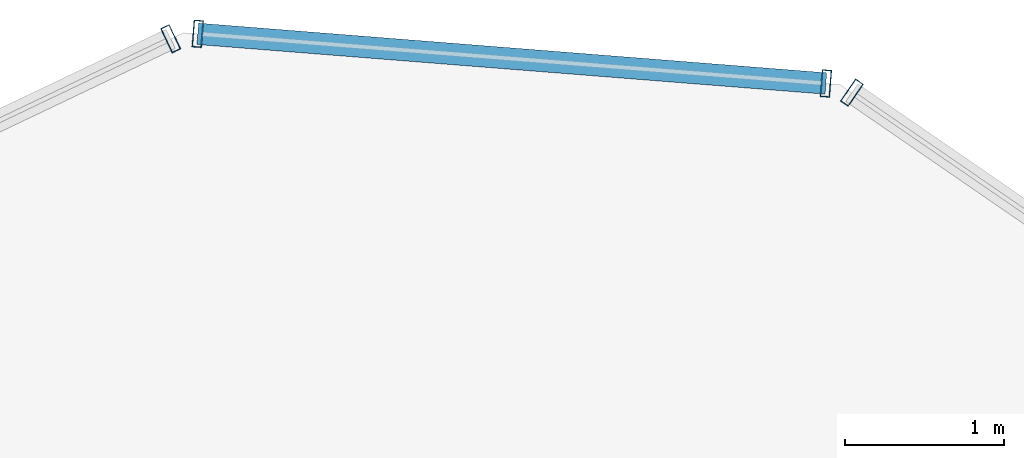
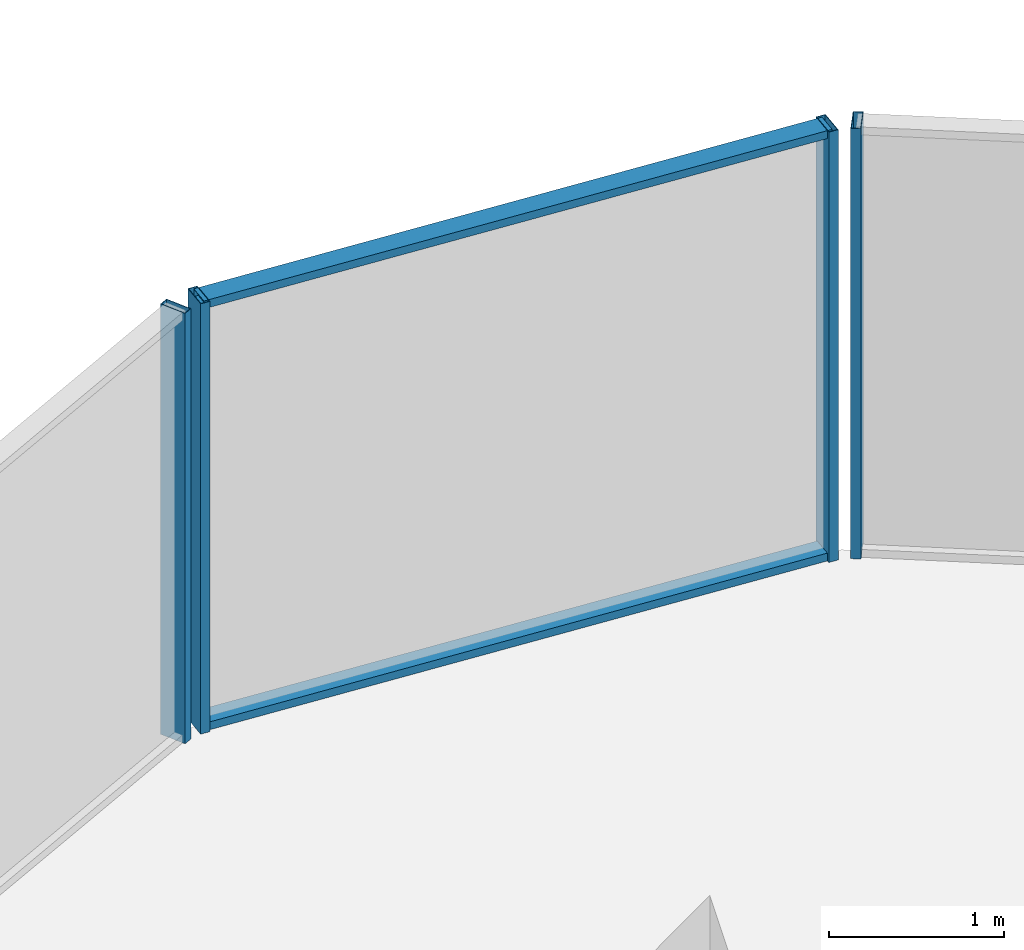
# One storey, part 23 of 30: 6 members, 3 elements without a shape of their own.
"""IFC4 building model written with IfcOpenShell, lengths in metres."""

import ifcopenshell
import ifcopenshell.guid

model = None  # the IFC model being written
_history = None  # IfcOwnerHistory: only IFC2X3 demands one
_inside = {}  # id of a spatial element -> (the spatial element, [elements in it])
_under = {}  # id of a project, library or spatial element -> (it, [spatial elements below it])
_declared = {}  # id of a project -> (the project, [libraries it declares])
_typed = {}  # id of a type object -> (the type object, [elements of that type])
_made_of = {}  # id of a material, layer set ... -> (it, [elements and type objects made of it])


def new_model(schema):
    """Start an empty IFC model of exactly this schema.

    Asked for "IFC4X3", IfcOpenShell would pick the latest addendum, in which some entities
    have other attributes; the version numbers below select the first issue.
    IFC2X3 requires an IfcOwnerHistory on every rooted entity: one is made here for all.
    """
    global model, _history
    if schema == "IFC4X3":
        model = ifcopenshell.file(schema_version=(4, 3, 0, 0))
    else:
        model = ifcopenshell.file(schema=schema)
    _inside.clear()
    _under.clear()
    _declared.clear()
    _typed.clear()
    _made_of.clear()
    _history = None
    if model.schema == "IFC2X3":
        org = make("IfcOrganization", Name="unknown")
        user = make(
            "IfcPersonAndOrganization",
            ThePerson=make("IfcPerson", FamilyName="unknown"),
            TheOrganization=org,
        )
        app = make(
            "IfcApplication",
            ApplicationDeveloper=org,
            Version="unknown",
            ApplicationFullName="unknown",
            ApplicationIdentifier="unknown",
        )
        _history = make(
            "IfcOwnerHistory",
            OwningUser=user,
            OwningApplication=app,
            ChangeAction="ADDED",
            CreationDate=0,
        )
    return model


def make(cls, **values):
    """One entity of the class cls with the attributes given. An attribute that is None is left unset."""
    return model.create_entity(
        cls, **{name: value for name, value in values.items() if value is not None}
    )


def rooted(cls, **values):
    """An entity with a GlobalId (a new one), such as an element, a storey or a relation."""
    return make(cls, GlobalId=ifcopenshell.guid.new(), OwnerHistory=_history, **values)


def si_unit(unit_type, name, prefix=None):
    """IfcSIUnit, for example si_unit("LENGTHUNIT", "METRE", prefix="MILLI")."""
    return make("IfcSIUnit", UnitType=unit_type, Prefix=prefix, Name=name)


def assignment(units):
    """IfcUnitAssignment: the units of a project."""
    return None if units is None else make("IfcUnitAssignment", Units=units)


def point(xyz):
    """IfcCartesianPoint."""
    return None if xyz is None else make("IfcCartesianPoint", Coordinates=xyz)


def direction(xyz):
    """IfcDirection."""
    return None if xyz is None else make("IfcDirection", DirectionRatios=xyz)


def frame(location, z_axis=None, x_axis=None):
    """IfcAxis2Placement3D, a coordinate frame: its origin and axes. An axis left out is left unset."""
    return make(
        "IfcAxis2Placement3D",
        Location=point(location),
        Axis=direction(z_axis),
        RefDirection=direction(x_axis),
    )


def frame_2d(location, x_axis=None):
    """IfcAxis2Placement2D, a coordinate frame in the plane: its origin and x axis."""
    return make(
        "IfcAxis2Placement2D", Location=point(location), RefDirection=direction(x_axis)
    )


def origin():
    """The frame at (0, 0, 0) with its axes left unset."""
    return frame((0.0, 0.0, 0.0))


def origin_2d():
    """The frame at (0, 0) in the plane with its x axis left unset."""
    return frame_2d((0.0, 0.0))


def place(relative_to, where):
    """IfcLocalPlacement: puts the frame where relative to a parent placement (None: the world)."""
    return make(
        "IfcLocalPlacement", PlacementRelTo=relative_to, RelativePlacement=where
    )


def context(
    kind, dimensions, precision=None, world=None, true_north=None, identifier=None
):
    """IfcGeometricRepresentationContext, for example the 3D "Model" context."""
    return make(
        "IfcGeometricRepresentationContext",
        ContextIdentifier=identifier,
        ContextType=kind,
        CoordinateSpaceDimension=dimensions,
        Precision=precision,
        WorldCoordinateSystem=world,
        TrueNorth=true_north,
    )


def subcontext(parent, identifier, kind, view, scale=None):
    """IfcGeometricRepresentationSubContext, for example "Body" below "Model"."""
    return make(
        "IfcGeometricRepresentationSubContext",
        ContextIdentifier=identifier,
        ContextType=kind,
        ParentContext=parent,
        TargetScale=scale,
        TargetView=view,
    )


def project(units=None, contexts=None):
    """IfcProject with its units and contexts."""
    return rooted(
        "IfcProject",
        Name="project",
        RepresentationContexts=contexts,
        UnitsInContext=assignment(units),
    )


def spatial(cls, under=None, at=None, **own):
    """A site, building, storey or space (cls), placed at a placement, below another one or the project."""
    s = rooted(cls, ObjectPlacement=at, **own)
    if under is not None:
        _under.setdefault(under.id(), (under, []))[1].append(s)
    return s


def profile(cls, at=None, kind="AREA", **sizes):
    """A parametric profile (cls). Its sizes go by their IFC names, for example OverallWidth=200.0."""
    return make(cls, ProfileType=kind, Position=at, **sizes)


def hollow_rectangle(**sizes):
    """IfcRectangleHollowProfileDef."""
    return profile("IfcRectangleHollowProfileDef", **sizes)


def extrude(swept, where, along, depth):
    """IfcExtrudedAreaSolid: the profile swept, set in the frame where, extruded along a direction by depth."""
    return make(
        "IfcExtrudedAreaSolid",
        SweptArea=swept,
        Position=where,
        ExtrudedDirection=direction(along),
        Depth=depth,
    )


def shape(context_of_items, identifier, shape_type, items):
    """IfcShapeRepresentation: the items that make up one representation, for example the "Body"."""
    return make(
        "IfcShapeRepresentation",
        ContextOfItems=context_of_items,
        RepresentationIdentifier=identifier,
        RepresentationType=shape_type,
        Items=items,
    )


def source(mapping_origin, context_of_items, identifier, shape_type, items):
    """IfcRepresentationMap: a shape defined once, which mapped items show again and again."""
    return make(
        "IfcRepresentationMap",
        MappingOrigin=mapping_origin,
        MappedRepresentation=shape(context_of_items, identifier, shape_type, items),
    )


def transform(
    local_origin,
    x_axis=None,
    y_axis=None,
    z_axis=None,
    scale=None,
    scale2=None,
    scale3=None,
    uniform=True,
):
    """IfcCartesianTransformationOperator3D, or its non-uniform kind. x_axis, y_axis, z_axis: its Axis1, 2, 3."""
    if uniform:
        return make(
            "IfcCartesianTransformationOperator3D",
            Axis1=direction(x_axis),
            Axis2=direction(y_axis),
            LocalOrigin=point(local_origin),
            Scale=scale,
            Axis3=direction(z_axis),
        )
    return make(
        "IfcCartesianTransformationOperator3DnonUniform",
        Axis1=direction(x_axis),
        Axis2=direction(y_axis),
        LocalOrigin=point(local_origin),
        Scale=scale,
        Axis3=direction(z_axis),
        Scale2=scale2,
        Scale3=scale3,
    )


def mapped(mapping_source, mapping_target):
    """IfcMappedItem: shows the shape of a source again, moved by a transform."""
    return make(
        "IfcMappedItem", MappingSource=mapping_source, MappingTarget=mapping_target
    )


def material(Name=None, Category=None):
    """IfcMaterial."""
    return make("IfcMaterial", Name=Name, Category=Category)


def layer(
    of_material, thickness, ventilated=None, Name=None, Category=None, Priority=None
):
    """IfcMaterialLayer: one layer of a wall or slab, of a material (None: an air gap)."""
    return make(
        "IfcMaterialLayer",
        Material=of_material,
        LayerThickness=thickness,
        IsVentilated=ventilated,
        Name=Name,
        Category=Category,
        Priority=Priority,
    )


def layer_set(layers, Name=None):
    """IfcMaterialLayerSet."""
    return make("IfcMaterialLayerSet", MaterialLayers=layers, LayerSetName=Name)


def material_profile(
    of_material, cross_section, Name=None, Category=None, Priority=None
):
    """IfcMaterialProfile: a cross section and its material."""
    return make(
        "IfcMaterialProfile",
        Name=Name,
        Material=of_material,
        Profile=cross_section,
        Priority=Priority,
        Category=Category,
    )


def profile_set(profiles, Name=None, composite=None):
    """IfcMaterialProfileSet."""
    return make(
        "IfcMaterialProfileSet",
        Name=Name,
        MaterialProfiles=profiles,
        CompositeProfile=composite,
    )


def made_of(thing, what):
    """Note that an element or type object is made of a material, layer set ...; save() writes the relation."""
    if what is not None:
        _made_of.setdefault(what.id(), (what, []))[1].append(thing)
    return thing


def type_object(cls, material=None, **own):
    """A type object (cls), such as IfcWallType, which elements share."""
    return made_of(rooted(cls, **own), material)


def element(
    cls,
    number,
    at=None,
    inside=None,
    cuts=None,
    type_object=None,
    material=None,
    context=None,
    identifier="Body",
    shape_type=None,
    held_by="IfcProductDefinitionShape",
    body=None,
    shapes=None,
    **own,
):
    """One element of the class cls, such as IfcWall. Its Tag is "e" and its number.

    at: its placement. inside: the storey or other place that contains it. cuts: it is an
    opening in that element (IfcRelVoidsElement). A single representation is given by context,
    identifier, shape_type and body (its items); several are given by shapes. held_by: the class
    of the entity that holds the representations. save() writes the other relations.
    """
    e = rooted(cls, Tag="e%d" % number, ObjectPlacement=at, **own)
    if body is not None:
        shapes = [shape(context, identifier, shape_type, body)]
    if shapes is not None:
        e.Representation = make(held_by, Representations=shapes)
    if inside is not None:
        _inside.setdefault(inside.id(), (inside, []))[1].append(e)
    if cuts is not None:
        rooted(
            "IfcRelVoidsElement", RelatingBuildingElement=cuts, RelatedOpeningElement=e
        )
    if type_object is not None:
        _typed.setdefault(type_object.id(), (type_object, []))[1].append(e)
    return made_of(e, material)


def aggregate(whole, parts):
    """IfcRelAggregates: a whole, such as a stair, and the parts it consists of."""
    return rooted("IfcRelAggregates", RelatingObject=whole, RelatedObjects=parts)


def save(model, path):
    """Write the relations noted so far, then the file.

    IfcRelAggregates (storeys below a building ...), IfcRelContainedInSpatialStructure (elements
    in a storey), IfcRelDefinesByType, IfcRelAssociatesMaterial and IfcRelDeclares: one each for
    every whole, place, type object, material and project.
    """
    for whole, parts in _under.values():
        aggregate(whole, parts)
    for where, things in _inside.values():
        rooted(
            "IfcRelContainedInSpatialStructure",
            RelatedElements=things,
            RelatingStructure=where,
        )
    for kind, things in _typed.values():
        rooted("IfcRelDefinesByType", RelatedObjects=things, RelatingType=kind)
    for what, things in _made_of.values():
        rooted("IfcRelAssociatesMaterial", RelatedObjects=things, RelatingMaterial=what)
    for by, libraries in _declared.values():
        rooted("IfcRelDeclares", RelatingContext=by, RelatedDefinitions=libraries)
    model.write(path)


model = new_model("IFC4")

# Units and contexts
model_context = context("Model", 3, precision=1e-05, world=origin(), true_north=direction((0.0, 1.0)))
body_context = subcontext(model_context, "Body", "Model", "MODEL_VIEW")
ifc_project = project(units=[si_unit("LENGTHUNIT", "METRE"), si_unit("AREAUNIT", "SQUARE_METRE"), si_unit("VOLUMEUNIT", "CUBIC_METRE"), si_unit("PLANEANGLEUNIT", "RADIAN"), si_unit("MASSUNIT", "GRAM", prefix="KILO")], contexts=[model_context])

# Site, building, storey
site_placement = place(None, origin())
site = spatial("IfcSite", under=ifc_project, at=site_placement, CompositionType="ELEMENT")
building_placement = place(site_placement, origin())
building = spatial("IfcBuilding", under=site, at=building_placement, Name="Veraguas Prism Commons", CompositionType="ELEMENT")
storey_placement = place(building_placement, frame((0.0, 0.0, 113.25)))
storey = spatial("IfcBuildingStorey", under=building, at=storey_placement, Name="L31", CompositionType="ELEMENT", Elevation=113.25)

# Curtain wall, member
ifc_material = material(Name="Anodised aluminium EN AW-6063 T6", Category="aluminium")
ifc_layer = layer(ifc_material, 0.169921875, Name="Unitised Flush Curtain Wall Zone 2", Category="aluminium")
ifc_layer_set = layer_set([ifc_layer], Name="Anodised aluminium EN AW-6063 T6")
curtain_wall_type = type_object("IfcCurtainWallType", Name="Unitised Flush Curtain Wall Zone 2", PredefinedType="NOTDEFINED", material=ifc_layer_set)
curtain_wall_1_placement = place(storey_placement, origin())
curtain_wall_1 = element("IfcCurtainWall", 1, at=curtain_wall_1_placement, inside=storey, type_object=curtain_wall_type, Name="Tower Facade Curtain Wall L31-F1", PredefinedType="NOTDEFINED")
ifc_material_profile_1 = material_profile(ifc_material, hollow_rectangle(XDim=0.06005859375, YDim=0.169921875, WallThickness=0.00390625, at=origin_2d()), Name="AL60X170X4")
ifc_profile_set_1 = profile_set([ifc_material_profile_1], Name="Anodised aluminium EN AW-6063 T6")
member_type_1 = type_object("IfcMemberType", Name="Curtain Wall Mullion Lower AL 60x170x4", PredefinedType="MULLION", material=ifc_profile_set_1)
shared_shape_1 = source(origin(), body_context, "Body", "SweptSolid", [
    extrude(hollow_rectangle(XDim=0.06005859375, YDim=0.169921875, WallThickness=0.00390625, at=origin_2d()), origin(), (0.0, 0.0, 1.0), 3.0),
])
member_1_placement = place(storey_placement, frame((27.79541015625, 44.67138671875, 0.0), z_axis=(0.0, 0.0, 1.0), x_axis=(-0.823930403472, 0.566691000664, 0.0)))
member_1 = element("IfcMember", 2, at=member_1_placement, type_object=member_type_1, Name="CW-Z2 Mullion 5", PredefinedType="MULLION", context=body_context, shape_type="MappedRepresentation", body=[
    mapped(shared_shape_1, transform((0.0, 0.0, 0.0), scale=1.0)),
])
aggregate(curtain_wall_1, [member_1])

curtain_wall_2_placement = place(storey_placement, origin())
curtain_wall_2 = element("IfcCurtainWall", 3, at=curtain_wall_2_placement, inside=storey, type_object=curtain_wall_type, Name="Tower Facade Curtain Wall L31-F2", PredefinedType="NOTDEFINED")
member_2_placement = place(storey_placement, frame((23.499755859375, 45.010986328125, 0.0), z_axis=(0.0, 0.0, 1.0), x_axis=(-0.902734004407, -0.430199160025, 0.0)))
member_2 = element("IfcMember", 4, at=member_2_placement, type_object=member_type_1, Name="CW-Z2 Mullion 1", PredefinedType="MULLION", context=body_context, shape_type="MappedRepresentation", body=[
    mapped(shared_shape_1, transform((0.0, 0.0, 0.0), scale=1.0)),
])
aggregate(curtain_wall_2, [member_2])

# Curtain wall, members
curtain_wall_3_placement = place(storey_placement, origin())
curtain_wall_3 = element("IfcCurtainWall", 5, at=curtain_wall_3_placement, inside=storey, type_object=curtain_wall_type, Name="Chamfer Curtain Wall L31-C2", PredefinedType="NOTDEFINED")
member_3_placement = place(storey_placement, frame((27.631591796875, 44.729248046875, 0.0), z_axis=(0.0, 0.0, 1.0), x_axis=(-0.996888785155, 0.078820999939, 0.0)))
member_3 = element("IfcMember", 6, at=member_3_placement, type_object=member_type_1, Name="CW-Z2 Mullion 1", PredefinedType="MULLION", context=body_context, shape_type="MappedRepresentation", body=[
    mapped(shared_shape_1, transform((0.0, 0.0, 0.0), scale=1.0)),
])
member_4_placement = place(storey_placement, frame((23.670654296875, 45.04248046875, 0.0), z_axis=(0.0, 0.0, 1.0), x_axis=(-0.996888785155, 0.078820999939, 0.0)))
member_4 = element("IfcMember", 7, at=member_4_placement, type_object=member_type_1, Name="CW-Z2 Mullion 2", PredefinedType="MULLION", context=body_context, shape_type="MappedRepresentation", body=[
    mapped(shared_shape_1, transform((0.0, 0.0, 0.0), scale=1.0)),
])
ifc_material_profile_2 = material_profile(ifc_material, hollow_rectangle(XDim=0.054931640625, YDim=0.135009765625, WallThickness=0.0029296875, at=origin_2d()), Name="AL55X135X3")
ifc_profile_set_2 = profile_set([ifc_material_profile_2], Name="Anodised aluminium EN AW-6063 T6")
member_type_2 = type_object("IfcMemberType", Name="Curtain Wall Transom Standard AL 55x135x3", PredefinedType="USERDEFINED", material=ifc_profile_set_2)
shared_shape_2 = source(origin(), body_context, "Body", "SweptSolid", [
    extrude(hollow_rectangle(XDim=0.054931640625, YDim=0.135009765625, WallThickness=0.0029296875, at=origin_2d()), origin(), (0.0, 0.0, 1.0), 3.973388671875),
])
member_5_placement = place(storey_placement, frame((27.631591796875, 44.729248046875, 0.027587890625), z_axis=(-0.996887736964, 0.078834255826, 0.0), x_axis=(0.0, 0.0, 1.0)))
member_5 = element("IfcMember", 8, at=member_5_placement, type_object=member_type_2, Name="CW-Z2 Transom 1", ObjectType="TRANSOM", PredefinedType="USERDEFINED", context=body_context, shape_type="MappedRepresentation", body=[
    mapped(shared_shape_2, transform((0.0, 0.0, 0.0), scale=1.0)),
])
member_6_placement = place(storey_placement, frame((27.631591796875, 44.729248046875, 2.972412109375), z_axis=(-0.996887736964, 0.078834255826, 0.0), x_axis=(0.0, 0.0, 1.0)))
member_6 = element("IfcMember", 9, at=member_6_placement, type_object=member_type_2, Name="CW-Z2 Transom 2", ObjectType="TRANSOM", PredefinedType="USERDEFINED", context=body_context, shape_type="MappedRepresentation", body=[
    mapped(shared_shape_2, transform((0.0, 0.0, 0.0), scale=1.0)),
])
aggregate(curtain_wall_3, [member_3, member_4, member_5, member_6])

save(model, "model.ifc")
